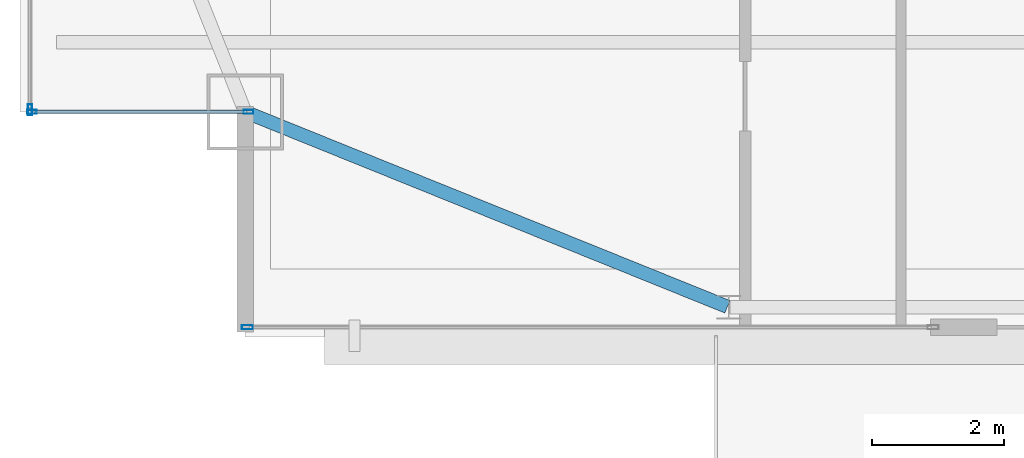
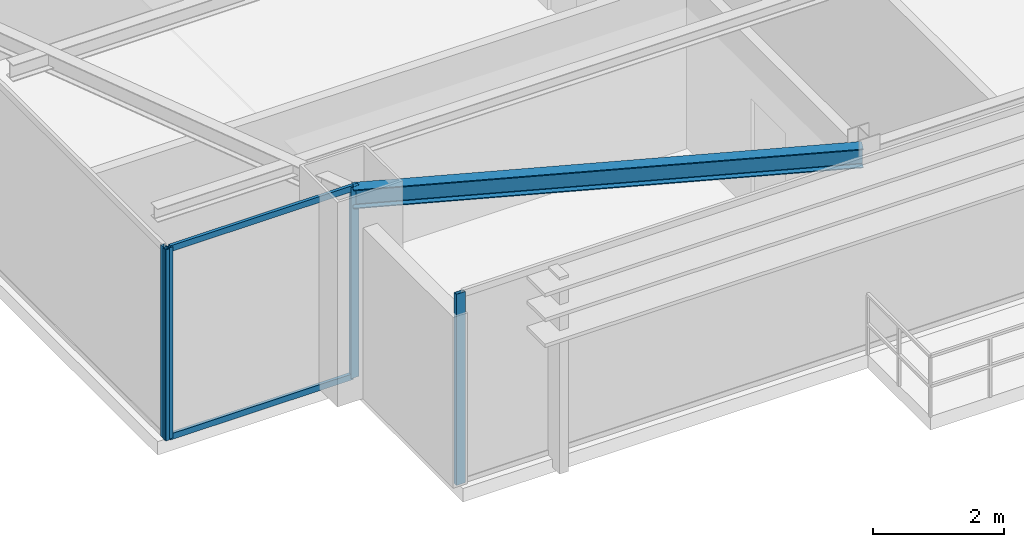
# One storey, part 4 of 31: 6 members, 1 beam, 3 elements without a shape of their own.
"""IFC4 building model written with IfcOpenShell, lengths in metres."""

from ifc_helpers import new_model, si_unit, direction, frame, origin, origin_2d, place, context, subcontext, project, spatial, hollow_rectangle, i_section, extrude, source, transform, mapped, material, layer, layer_set, material_profile, profile_set, type_object, type_shapes, element, aggregate, save


model = new_model("IFC4")

# Units and contexts
model_context = context("Model", 3, precision=1e-05, world=origin(), true_north=direction((0.0, 1.0)))
body_context = subcontext(model_context, "Body", "Model", "MODEL_VIEW")
ifc_project = project(units=[si_unit("LENGTHUNIT", "METRE"), si_unit("AREAUNIT", "SQUARE_METRE"), si_unit("VOLUMEUNIT", "CUBIC_METRE"), si_unit("PLANEANGLEUNIT", "RADIAN"), si_unit("MASSUNIT", "GRAM", prefix="KILO")], contexts=[model_context])

# Site, building, storey
site_placement = place(None, origin())
site = spatial("IfcSite", under=ifc_project, at=site_placement, CompositionType="ELEMENT")
building_placement = place(site_placement, origin())
building = spatial("IfcBuilding", under=site, at=building_placement, Name="Varnel Quay Broadcast Tower", CompositionType="ELEMENT")
storey_placement = place(building_placement, frame((0.0, 0.0, 215.0)))
storey = spatial("IfcBuildingStorey", under=building, at=storey_placement, Name="L53", CompositionType="ELEMENT", Elevation=215.0)

# Beam
ifc_material_1 = material(Name="Structural Steel CSA G40.21 350W", Category="steel")
ifc_material_profile_1 = material_profile(ifc_material_1, i_section(OverallWidth=0.205078125, OverallDepth=0.35400390625, WebThickness=0.009521484375, FlangeThickness=0.016845703125, FilletRadius=0.012939453125, at=origin_2d()), Name="W360X79")
ifc_profile_set_1 = profile_set([ifc_material_profile_1], Name="Structural Steel CSA G40.21 350W")
beam_type = type_object("IfcBeamType", Name="Beam_W360X79", PredefinedType="SPANDREL", material=ifc_profile_set_1)
shared_shape_1 = source(origin(), body_context, "Body", "SweptSolid", [
    extrude(i_section(OverallWidth=0.205078125, OverallDepth=0.35400390625, WebThickness=0.009521484375, FlangeThickness=0.016845703125, FilletRadius=0.012939453125, at=origin_2d()), origin(), (0.0, 0.0, 1.0), 7.83349609375),
])
type_shapes(beam_type, [shared_shape_1])
beam_placement = place(storey_placement, frame((12.91845703125, 13.592529296875, 3.373046875), z_axis=(0.927155449606, -0.374676890489, 0.0), x_axis=(0.374676890489, 0.927155449606, 0.0)))
element("IfcBeam", 1, at=beam_placement, inside=storey, type_object=beam_type, Name="L53 South Spandrel MC-SW-TC-S1", PredefinedType="SPANDREL", context=body_context, shape_type="MappedRepresentation", body=[
    mapped(shared_shape_1, transform((0.0, 0.0, 0.0), x_axis=(1.0, 0.0, 0.0), y_axis=(0.0, 1.0, 0.0), z_axis=(0.0, 0.0, 1.0), scale=1.0)),
])

# Curtain wall, members
ifc_material_2 = material(Name="Anodised Bronze Aluminium 6063-T6", Category="aluminium")
ifc_layer_1 = layer(ifc_material_2, 0.18994140625, Name="Anodised Bronze Aluminium 6063-T6")
ifc_layer_set_1 = layer_set([ifc_layer_1], Name="Anodised Bronze Aluminium 6063-T6")
curtain_wall_type_1 = type_object("IfcCurtainWallType", Name="CW_NotchCorner", PredefinedType="NOTDEFINED", material=ifc_layer_set_1)
curtain_wall_1_placement = place(storey_placement, origin())
curtain_wall_1 = element("IfcCurtainWall", 2, at=curtain_wall_1_placement, inside=storey, type_object=curtain_wall_type_1, Name="L53 SW Notch Curtain Wall", PredefinedType="NOTDEFINED")
ifc_material_profile_2 = material_profile(ifc_material_2, hollow_rectangle(XDim=0.06005859375, YDim=0.14501953125, WallThickness=0.00341796875, at=origin_2d()), Name="ALU60X145X3.5")
ifc_profile_set_2 = profile_set([ifc_material_profile_2], Name="Anodised Bronze Aluminium 6063-T6")
member_type_1 = type_object("IfcMemberType", Name="Mull_CWS-04", PredefinedType="MULLION", material=ifc_profile_set_2)
shared_shape_2 = source(origin(), body_context, "Body", "SweptSolid", [
    extrude(hollow_rectangle(XDim=0.06005859375, YDim=0.14501953125, WallThickness=0.00341796875, at=origin_2d()), origin(), (0.0, 0.0, 1.0), 3.550048828125),
])
type_shapes(member_type_1, [shared_shape_2])
member_1_placement = place(storey_placement, frame((9.679931640625, 13.60009765625, 0.0), z_axis=(0.0, 0.0, 1.0), x_axis=(0.0, 1.0, 0.0)))
member_1 = element("IfcMember", 3, at=member_1_placement, type_object=member_type_1, Name="CWS-04 mullion 1", PredefinedType="MULLION", context=body_context, shape_type="MappedRepresentation", body=[
    mapped(shared_shape_2, transform((0.0, 0.0, 0.0), x_axis=(1.0, 0.0, 0.0), y_axis=(0.0, 1.0, 0.0), z_axis=(0.0, 0.0, 1.0), scale=1.0)),
])
member_2_placement = place(storey_placement, frame((12.949951171875, 13.60009765625, 0.0), z_axis=(0.0, 0.0, 1.0), x_axis=(0.0, 1.0, 0.0)))
member_2 = element("IfcMember", 4, at=member_2_placement, type_object=member_type_1, Name="CWS-04 mullion 2", PredefinedType="MULLION", context=body_context, shape_type="MappedRepresentation", body=[
    mapped(shared_shape_2, transform((0.0, 0.0, 0.0), x_axis=(1.0, 0.0, 0.0), y_axis=(0.0, 1.0, 0.0), z_axis=(0.0, 0.0, 1.0), scale=1.0)),
])

# Curtain wall, member
ifc_layer_2 = layer(ifc_material_2, 0.18994140625, Name="Anodised Bronze Aluminium 6063-T6")
ifc_layer_set_2 = layer_set([ifc_layer_2], Name="Anodised Bronze Aluminium 6063-T6")
curtain_wall_type_2 = type_object("IfcCurtainWallType", Name="CW_UpperTower", PredefinedType="NOTDEFINED", material=ifc_layer_set_2)
curtain_wall_2_placement = place(storey_placement, origin())
curtain_wall_2 = element("IfcCurtainWall", 5, at=curtain_wall_2_placement, inside=storey, type_object=curtain_wall_type_2, Name="L53 South Unitised Curtain Wall 1", PredefinedType="NOTDEFINED")
ifc_material_profile_3 = material_profile(ifc_material_2, hollow_rectangle(XDim=0.06494140625, YDim=0.1650390625, WallThickness=0.00341796875, at=origin_2d()), Name="ALU65X165X3.5")
ifc_profile_set_3 = profile_set([ifc_material_profile_3], Name="Anodised Bronze Aluminium 6063-T6")
member_type_2 = type_object("IfcMemberType", Name="Mull_CWS-03", PredefinedType="MULLION", material=ifc_profile_set_3)
shared_shape_3 = source(origin(), body_context, "Body", "SweptSolid", [
    extrude(hollow_rectangle(XDim=0.06494140625, YDim=0.1650390625, WallThickness=0.00341796875, at=origin_2d()), origin(), (0.0, 0.0, 1.0), 3.550048828125),
])
type_shapes(member_type_2, [shared_shape_3])
member_3_placement = place(storey_placement, frame((12.9326171875, 10.35009765625, 0.0), z_axis=(0.0, 0.0, 1.0), x_axis=(0.0, 1.0, 0.0)))
member_3 = element("IfcMember", 6, at=member_3_placement, type_object=member_type_2, Name="CWS-03 mullion 1", PredefinedType="MULLION", context=body_context, shape_type="MappedRepresentation", body=[
    mapped(shared_shape_3, transform((0.0, 0.0, 0.0), x_axis=(1.0, 0.0, 0.0), y_axis=(0.0, 1.0, 0.0), z_axis=(0.0, 0.0, 1.0), scale=1.0)),
])
aggregate(curtain_wall_2, [member_3])

curtain_wall_3_placement = place(storey_placement, origin())
curtain_wall_3 = element("IfcCurtainWall", 7, at=curtain_wall_3_placement, inside=storey, type_object=curtain_wall_type_2, Name="L53 West Unitised Curtain Wall", PredefinedType="NOTDEFINED")
member_4_placement = place(storey_placement, frame((9.64990234375, 13.632568359375, 0.0), z_axis=(0.0, 0.0, 1.0), x_axis=(-1.0, 0.0, 0.0)))
member_4 = element("IfcMember", 8, at=member_4_placement, type_object=member_type_2, Name="CWS-03 mullion 1", PredefinedType="MULLION", context=body_context, shape_type="MappedRepresentation", body=[
    mapped(shared_shape_3, transform((0.0, 0.0, 0.0), x_axis=(1.0, 0.0, 0.0), y_axis=(0.0, 1.0, 0.0), z_axis=(0.0, 0.0, 1.0), scale=1.0)),
])
aggregate(curtain_wall_3, [member_4])

# Member
ifc_material_profile_4 = material_profile(ifc_material_2, hollow_rectangle(XDim=0.054931640625, YDim=0.110107421875, WallThickness=0.0029296875, at=origin_2d()), Name="ALU55X110X3")
ifc_profile_set_4 = profile_set([ifc_material_profile_4], Name="Anodised Bronze Aluminium 6063-T6")
member_type_3 = type_object("IfcMemberType", Name="Tran_CWS-04", PredefinedType="USERDEFINED", material=ifc_profile_set_4)
shared_shape_4 = source(origin(), body_context, "Body", "SweptSolid", [
    extrude(hollow_rectangle(XDim=0.054931640625, YDim=0.110107421875, WallThickness=0.0029296875, at=origin_2d()), origin(), (0.0, 0.0, 1.0), 3.2099609375),
])
type_shapes(member_type_3, [shared_shape_4])
member_5_placement = place(storey_placement, frame((9.7099609375, 13.60009765625, 0.027587890625), z_axis=(1.0, 0.0, 0.0), x_axis=(0.0, 1.0, 0.0)))
member_5 = element("IfcMember", 9, at=member_5_placement, type_object=member_type_3, Name="CWS-04 transom 1.1", ObjectType="TRANSOM", PredefinedType="USERDEFINED", context=body_context, shape_type="MappedRepresentation", body=[
    mapped(shared_shape_4, transform((0.0, 0.0, 0.0), x_axis=(1.0, 0.0, 0.0), y_axis=(0.0, 1.0, 0.0), z_axis=(0.0, 0.0, 1.0), scale=1.0)),
])

member_6_placement = place(storey_placement, frame((9.7099609375, 13.60009765625, 3.5224609375), z_axis=(1.0, 0.0, 0.0), x_axis=(0.0, 1.0, 0.0)))
member_6 = element("IfcMember", 10, at=member_6_placement, type_object=member_type_3, Name="CWS-04 transom 1.2", ObjectType="TRANSOM", PredefinedType="USERDEFINED", context=body_context, shape_type="MappedRepresentation", body=[
    mapped(shared_shape_4, transform((0.0, 0.0, 0.0), x_axis=(1.0, 0.0, 0.0), y_axis=(0.0, 1.0, 0.0), z_axis=(0.0, 0.0, 1.0), scale=1.0)),
])

aggregate(curtain_wall_1, [member_1, member_2, member_5, member_6])

save(model, "model.ifc")
